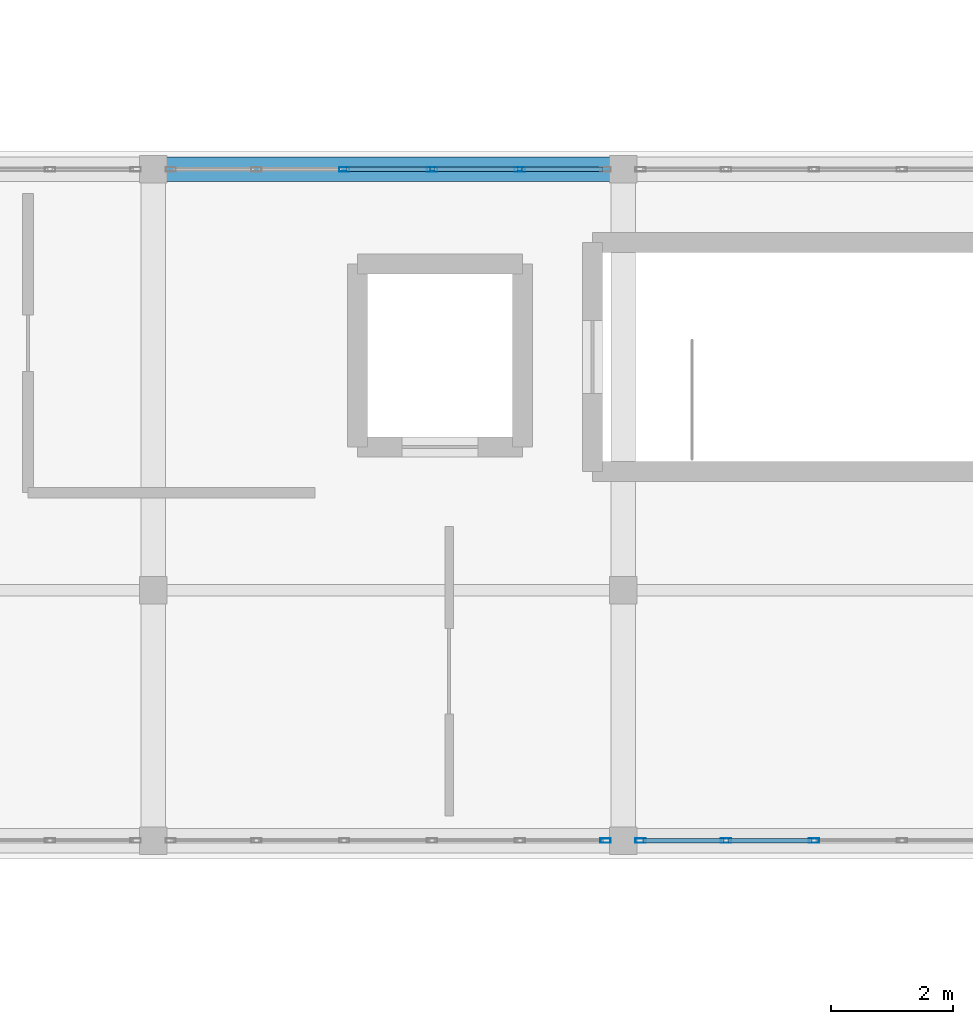
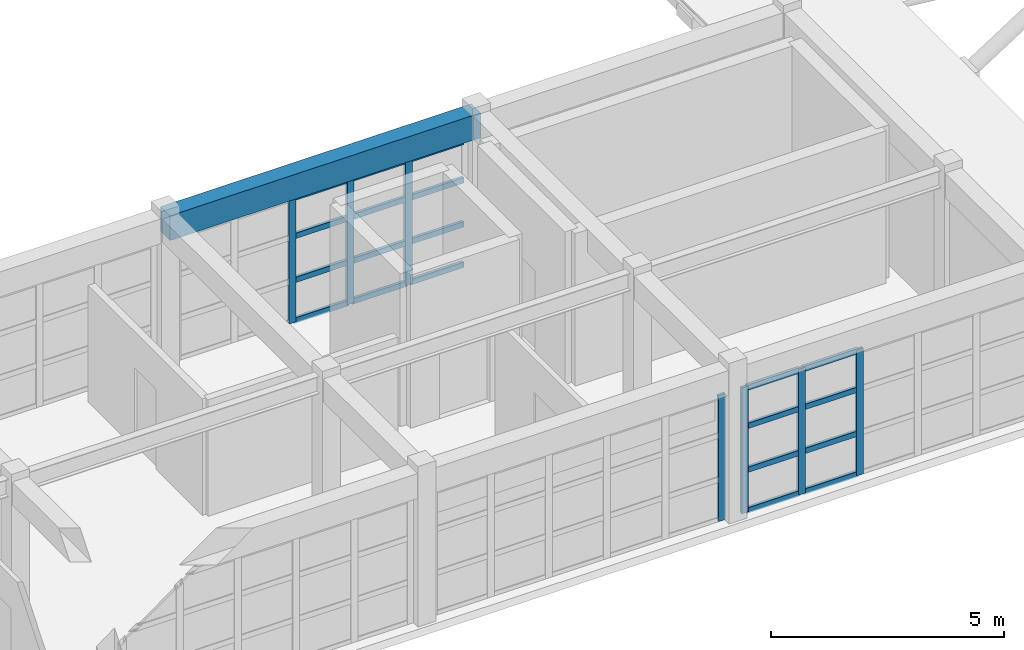
# One storey, part 15 of 52: 27 members, 1 beam, 3 elements without a shape of their own.
"""IFC4 building model written with IfcOpenShell, lengths in metres."""

from ifc_helpers import new_model, si_unit, direction, frame, origin, origin_2d, place, context, subcontext, project, spatial, rectangle, hollow_rectangle, extrude, material, layer, layer_set, material_profile, profile_set, type_object, element, aggregate, save


model = new_model("IFC4")

# Units and contexts
model_context = context("Model", 3, precision=1e-05, world=origin(), true_north=direction((0.0, 1.0)))
body_context = subcontext(model_context, "Body", "Model", "MODEL_VIEW")
ifc_project = project(units=[si_unit("LENGTHUNIT", "METRE"), si_unit("AREAUNIT", "SQUARE_METRE"), si_unit("VOLUMEUNIT", "CUBIC_METRE"), si_unit("PLANEANGLEUNIT", "RADIAN"), si_unit("MASSUNIT", "GRAM", prefix="KILO")], contexts=[model_context])

# Site, building, storey
site_placement = place(None, origin())
site = spatial("IfcSite", under=ifc_project, at=site_placement, CompositionType="ELEMENT")
building_placement = place(site_placement, origin())
building = spatial("IfcBuilding", under=site, at=building_placement, Name="Candilejo Ridge Gondola Terminal", CompositionType="ELEMENT")
storey_placement = place(building_placement, frame((0.0, 0.0, 18.60009765625)))
storey = spatial("IfcBuildingStorey", under=building, at=storey_placement, Name="L04", CompositionType="ELEMENT", Elevation=18.60009765625)

# Curtain wall, members
ifc_material_1 = material(Name="Anodised aluminium AA 6063-T6", Category="aluminium")
ifc_layer = layer(ifc_material_1, 0.169921875)
ifc_layer_set = layer_set([ifc_layer], Name="ARC-CW-GALLERY-3200-720X329")
curtain_wall_type = type_object("IfcCurtainWallType", Name="ARC-CW-GALLERY-3200-720X329", PredefinedType="NOTDEFINED", material=ifc_layer_set)
curtain_wall_1_placement = place(storey_placement, origin())
curtain_wall_1 = element("IfcCurtainWall", 1, at=curtain_wall_1_placement, inside=storey, type_object=curtain_wall_type, Name="Curtain wall V3 L04-106", PredefinedType="NOTDEFINED")
ifc_material_2 = material(Name="Anodised aluminium AA 6063-T6", Category="aluminium")
ifc_material_profile_1 = material_profile(ifc_material_2, hollow_rectangle(XDim=0.074951171875, YDim=0.169921875, WallThickness=0.00390625, at=origin_2d()))
ifc_profile_set_1 = profile_set([ifc_material_profile_1], Name="Anodised aluminium AA 6063-T6")
member_type_1 = type_object("IfcMemberType", Name="ARC-CW-MULLION", PredefinedType="MULLION", material=ifc_profile_set_1)
member_1_placement = place(storey_placement, frame((120.679931640625, 36.699951171875, 0.0), z_axis=(0.0, 0.0, 1.0), x_axis=(0.0, 1.0, 0.0)))
member_1 = element("IfcMember", 2, at=member_1_placement, type_object=member_type_1, Name="CW-72X32 mullion 3", PredefinedType="MULLION", context=body_context, shape_type="SweptSolid", body=[
    extrude(hollow_rectangle(XDim=0.074951171875, YDim=0.169921875, WallThickness=0.00390625, at=origin_2d()), origin(), (0.0, 0.0, 1.0), 3.289794921875),
])
member_2_placement = place(storey_placement, frame((122.1201171875, 36.699951171875, 0.0), z_axis=(0.0, 0.0, 1.0), x_axis=(0.0, 1.0, 0.0)))
member_2 = element("IfcMember", 3, at=member_2_placement, type_object=member_type_1, Name="CW-72X32 mullion 4", PredefinedType="MULLION", context=body_context, shape_type="SweptSolid", body=[
    extrude(hollow_rectangle(XDim=0.074951171875, YDim=0.169921875, WallThickness=0.00390625, at=origin_2d()), origin(), (0.0, 0.0, 1.0), 3.289794921875),
])
member_3_placement = place(storey_placement, frame((123.56005859375, 36.699951171875, 0.0), z_axis=(0.0, 0.0, 1.0), x_axis=(0.0, 1.0, 0.0)))
member_3 = element("IfcMember", 4, at=member_3_placement, type_object=member_type_1, Name="CW-72X32 mullion 5", PredefinedType="MULLION", context=body_context, shape_type="SweptSolid", body=[
    extrude(hollow_rectangle(XDim=0.074951171875, YDim=0.169921875, WallThickness=0.00390625, at=origin_2d()), origin(), (0.0, 0.0, 1.0), 3.289794921875),
])

# Curtain wall, member
curtain_wall_2_placement = place(storey_placement, origin())
curtain_wall_2 = element("IfcCurtainWall", 5, at=curtain_wall_2_placement, inside=storey, type_object=curtain_wall_type, Name="Curtain wall V3 L04-107", PredefinedType="NOTDEFINED")
member_4_placement = place(storey_placement, frame((124.96240234375, 25.699951171875, 0.0), z_axis=(0.0, 0.0, 1.0), x_axis=(0.0, 1.0, 0.0)))
member_4 = element("IfcMember", 6, at=member_4_placement, type_object=member_type_1, Name="CW-72X32 mullion 6", PredefinedType="MULLION", context=body_context, shape_type="SweptSolid", body=[
    extrude(hollow_rectangle(XDim=0.074951171875, YDim=0.169921875, WallThickness=0.00390625, at=origin_2d()), origin(), (0.0, 0.0, 1.0), 3.289794921875),
])
aggregate(curtain_wall_2, [member_4])

# Curtain wall, members
curtain_wall_3_placement = place(storey_placement, origin())
curtain_wall_3 = element("IfcCurtainWall", 7, at=curtain_wall_3_placement, inside=storey, type_object=curtain_wall_type, Name="Curtain wall V3 L04-109", PredefinedType="NOTDEFINED")
member_5_placement = place(storey_placement, frame((125.53759765625, 25.699951171875, 0.0), z_axis=(0.0, 0.0, 1.0), x_axis=(0.0, 1.0, 0.0)))
member_5 = element("IfcMember", 8, at=member_5_placement, type_object=member_type_1, Name="CW-72X32 mullion 1", PredefinedType="MULLION", context=body_context, shape_type="SweptSolid", body=[
    extrude(hollow_rectangle(XDim=0.074951171875, YDim=0.169921875, WallThickness=0.00390625, at=origin_2d()), origin(), (0.0, 0.0, 1.0), 3.289794921875),
])
member_6_placement = place(storey_placement, frame((126.93994140625, 25.699951171875, 0.0), z_axis=(0.0, 0.0, 1.0), x_axis=(0.0, 1.0, 0.0)))
member_6 = element("IfcMember", 9, at=member_6_placement, type_object=member_type_1, Name="CW-72X32 mullion 2", PredefinedType="MULLION", context=body_context, shape_type="SweptSolid", body=[
    extrude(hollow_rectangle(XDim=0.074951171875, YDim=0.169921875, WallThickness=0.00390625, at=origin_2d()), origin(), (0.0, 0.0, 1.0), 3.289794921875),
])
member_7_placement = place(storey_placement, frame((128.3798828125, 25.699951171875, 0.0), z_axis=(0.0, 0.0, 1.0), x_axis=(0.0, 1.0, 0.0)))
member_7 = element("IfcMember", 10, at=member_7_placement, type_object=member_type_1, Name="CW-72X32 mullion 3", PredefinedType="MULLION", context=body_context, shape_type="SweptSolid", body=[
    extrude(hollow_rectangle(XDim=0.074951171875, YDim=0.169921875, WallThickness=0.00390625, at=origin_2d()), origin(), (0.0, 0.0, 1.0), 3.289794921875),
])

# Member
ifc_material_3 = material(Name="Anodised aluminium AA 6063-T6", Category="aluminium")
ifc_material_profile_2 = material_profile(ifc_material_3, hollow_rectangle(XDim=0.074951171875, YDim=0.139892578125, WallThickness=0.00390625, at=origin_2d()))
ifc_profile_set_2 = profile_set([ifc_material_profile_2], Name="Anodised aluminium AA 6063-T6")
member_type_2 = type_object("IfcMemberType", Name="ARC-CW-TRANSOM", PredefinedType="USERDEFINED", material=ifc_profile_set_2)
member_8_placement = place(storey_placement, frame((120.717529296875, 36.699951171875, 0.037353515625), z_axis=(1.0, 0.0, 0.0), x_axis=(0.0, 1.0, 0.0)))
member_8 = element("IfcMember", 11, at=member_8_placement, type_object=member_type_2, Name="CW-72X32 transom 3.1", ObjectType="TRANSOM", PredefinedType="USERDEFINED", context=body_context, shape_type="SweptSolid", body=[
    extrude(hollow_rectangle(XDim=0.074951171875, YDim=0.139892578125, WallThickness=0.00390625, at=origin_2d()), origin(), (0.0, 0.0, 1.0), 1.364990234375),
])

member_9_placement = place(storey_placement, frame((120.717529296875, 36.699951171875, 1.099853515625), z_axis=(1.0, 0.0, 0.0), x_axis=(0.0, 1.0, 0.0)))
member_9 = element("IfcMember", 12, at=member_9_placement, type_object=member_type_2, Name="CW-72X32 transom 3.2", ObjectType="TRANSOM", PredefinedType="USERDEFINED", context=body_context, shape_type="SweptSolid", body=[
    extrude(hollow_rectangle(XDim=0.074951171875, YDim=0.139892578125, WallThickness=0.00390625, at=origin_2d()), origin(), (0.0, 0.0, 1.0), 1.364990234375),
])

member_10_placement = place(storey_placement, frame((120.717529296875, 36.699951171875, 2.25), z_axis=(1.0, 0.0, 0.0), x_axis=(0.0, 1.0, 0.0)))
member_10 = element("IfcMember", 13, at=member_10_placement, type_object=member_type_2, Name="CW-72X32 transom 3.3", ObjectType="TRANSOM", PredefinedType="USERDEFINED", context=body_context, shape_type="SweptSolid", body=[
    extrude(hollow_rectangle(XDim=0.074951171875, YDim=0.139892578125, WallThickness=0.00390625, at=origin_2d()), origin(), (0.0, 0.0, 1.0), 1.364990234375),
])

member_11_placement = place(storey_placement, frame((120.717529296875, 36.699951171875, 3.25244140625), z_axis=(1.0, 0.0, 0.0), x_axis=(0.0, 1.0, 0.0)))
member_11 = element("IfcMember", 14, at=member_11_placement, type_object=member_type_2, Name="CW-72X32 transom 3.4", ObjectType="TRANSOM", PredefinedType="USERDEFINED", context=body_context, shape_type="SweptSolid", body=[
    extrude(hollow_rectangle(XDim=0.074951171875, YDim=0.139892578125, WallThickness=0.00390625, at=origin_2d()), origin(), (0.0, 0.0, 1.0), 1.364990234375),
])

member_12_placement = place(storey_placement, frame((122.157470703125, 36.699951171875, 0.037353515625), z_axis=(1.0, 0.0, 0.0), x_axis=(0.0, 1.0, 0.0)))
member_12 = element("IfcMember", 15, at=member_12_placement, type_object=member_type_2, Name="CW-72X32 transom 4.1", ObjectType="TRANSOM", PredefinedType="USERDEFINED", context=body_context, shape_type="SweptSolid", body=[
    extrude(hollow_rectangle(XDim=0.074951171875, YDim=0.139892578125, WallThickness=0.00390625, at=origin_2d()), origin(), (0.0, 0.0, 1.0), 1.364990234375),
])

member_13_placement = place(storey_placement, frame((122.157470703125, 36.699951171875, 1.099853515625), z_axis=(1.0, 0.0, 0.0), x_axis=(0.0, 1.0, 0.0)))
member_13 = element("IfcMember", 16, at=member_13_placement, type_object=member_type_2, Name="CW-72X32 transom 4.2", ObjectType="TRANSOM", PredefinedType="USERDEFINED", context=body_context, shape_type="SweptSolid", body=[
    extrude(hollow_rectangle(XDim=0.074951171875, YDim=0.139892578125, WallThickness=0.00390625, at=origin_2d()), origin(), (0.0, 0.0, 1.0), 1.364990234375),
])

member_14_placement = place(storey_placement, frame((122.157470703125, 36.699951171875, 2.25), z_axis=(1.0, 0.0, 0.0), x_axis=(0.0, 1.0, 0.0)))
member_14 = element("IfcMember", 17, at=member_14_placement, type_object=member_type_2, Name="CW-72X32 transom 4.3", ObjectType="TRANSOM", PredefinedType="USERDEFINED", context=body_context, shape_type="SweptSolid", body=[
    extrude(hollow_rectangle(XDim=0.074951171875, YDim=0.139892578125, WallThickness=0.00390625, at=origin_2d()), origin(), (0.0, 0.0, 1.0), 1.364990234375),
])

member_15_placement = place(storey_placement, frame((122.157470703125, 36.699951171875, 3.25244140625), z_axis=(1.0, 0.0, 0.0), x_axis=(0.0, 1.0, 0.0)))
member_15 = element("IfcMember", 18, at=member_15_placement, type_object=member_type_2, Name="CW-72X32 transom 4.4", ObjectType="TRANSOM", PredefinedType="USERDEFINED", context=body_context, shape_type="SweptSolid", body=[
    extrude(hollow_rectangle(XDim=0.074951171875, YDim=0.139892578125, WallThickness=0.00390625, at=origin_2d()), origin(), (0.0, 0.0, 1.0), 1.364990234375),
])

member_16_placement = place(storey_placement, frame((123.597412109375, 36.699951171875, 0.037353515625), z_axis=(1.0, 0.0, 0.0), x_axis=(0.0, 1.0, 0.0)))
member_16 = element("IfcMember", 19, at=member_16_placement, type_object=member_type_2, Name="CW-72X32 transom 5.1", ObjectType="TRANSOM", PredefinedType="USERDEFINED", context=body_context, shape_type="SweptSolid", body=[
    extrude(hollow_rectangle(XDim=0.074951171875, YDim=0.139892578125, WallThickness=0.00390625, at=origin_2d()), origin(), (0.0, 0.0, 1.0), 1.32763671875),
])

member_17_placement = place(storey_placement, frame((123.597412109375, 36.699951171875, 1.099853515625), z_axis=(1.0, 0.0, 0.0), x_axis=(0.0, 1.0, 0.0)))
member_17 = element("IfcMember", 20, at=member_17_placement, type_object=member_type_2, Name="CW-72X32 transom 5.2", ObjectType="TRANSOM", PredefinedType="USERDEFINED", context=body_context, shape_type="SweptSolid", body=[
    extrude(hollow_rectangle(XDim=0.074951171875, YDim=0.139892578125, WallThickness=0.00390625, at=origin_2d()), origin(), (0.0, 0.0, 1.0), 1.32763671875),
])

member_18_placement = place(storey_placement, frame((123.597412109375, 36.699951171875, 2.25), z_axis=(1.0, 0.0, 0.0), x_axis=(0.0, 1.0, 0.0)))
member_18 = element("IfcMember", 21, at=member_18_placement, type_object=member_type_2, Name="CW-72X32 transom 5.3", ObjectType="TRANSOM", PredefinedType="USERDEFINED", context=body_context, shape_type="SweptSolid", body=[
    extrude(hollow_rectangle(XDim=0.074951171875, YDim=0.139892578125, WallThickness=0.00390625, at=origin_2d()), origin(), (0.0, 0.0, 1.0), 1.32763671875),
])

member_19_placement = place(storey_placement, frame((123.597412109375, 36.699951171875, 3.25244140625), z_axis=(1.0, 0.0, 0.0), x_axis=(0.0, 1.0, 0.0)))
member_19 = element("IfcMember", 22, at=member_19_placement, type_object=member_type_2, Name="CW-72X32 transom 5.4", ObjectType="TRANSOM", PredefinedType="USERDEFINED", context=body_context, shape_type="SweptSolid", body=[
    extrude(hollow_rectangle(XDim=0.074951171875, YDim=0.139892578125, WallThickness=0.00390625, at=origin_2d()), origin(), (0.0, 0.0, 1.0), 1.32763671875),
])

aggregate(curtain_wall_1, [member_1, member_2, member_3, member_8, member_9, member_10, member_11, member_12, member_13, member_14, member_15, member_16, member_17, member_18, member_19])

member_20_placement = place(storey_placement, frame((125.574951171875, 25.699951171875, 0.037353515625), z_axis=(1.0, 0.0, 0.0), x_axis=(0.0, 1.0, 0.0)))
member_20 = element("IfcMember", 23, at=member_20_placement, type_object=member_type_2, Name="CW-72X32 transom 1.1", ObjectType="TRANSOM", PredefinedType="USERDEFINED", context=body_context, shape_type="SweptSolid", body=[
    extrude(hollow_rectangle(XDim=0.074951171875, YDim=0.139892578125, WallThickness=0.00390625, at=origin_2d()), origin(), (0.0, 0.0, 1.0), 1.32763671875),
])

member_21_placement = place(storey_placement, frame((125.574951171875, 25.699951171875, 1.099853515625), z_axis=(1.0, 0.0, 0.0), x_axis=(0.0, 1.0, 0.0)))
member_21 = element("IfcMember", 24, at=member_21_placement, type_object=member_type_2, Name="CW-72X32 transom 1.2", ObjectType="TRANSOM", PredefinedType="USERDEFINED", context=body_context, shape_type="SweptSolid", body=[
    extrude(hollow_rectangle(XDim=0.074951171875, YDim=0.139892578125, WallThickness=0.00390625, at=origin_2d()), origin(), (0.0, 0.0, 1.0), 1.32763671875),
])

member_22_placement = place(storey_placement, frame((125.574951171875, 25.699951171875, 2.25), z_axis=(1.0, 0.0, 0.0), x_axis=(0.0, 1.0, 0.0)))
member_22 = element("IfcMember", 25, at=member_22_placement, type_object=member_type_2, Name="CW-72X32 transom 1.3", ObjectType="TRANSOM", PredefinedType="USERDEFINED", context=body_context, shape_type="SweptSolid", body=[
    extrude(hollow_rectangle(XDim=0.074951171875, YDim=0.139892578125, WallThickness=0.00390625, at=origin_2d()), origin(), (0.0, 0.0, 1.0), 1.32763671875),
])

member_23_placement = place(storey_placement, frame((125.574951171875, 25.699951171875, 3.25244140625), z_axis=(1.0, 0.0, 0.0), x_axis=(0.0, 1.0, 0.0)))
member_23 = element("IfcMember", 26, at=member_23_placement, type_object=member_type_2, Name="CW-72X32 transom 1.4", ObjectType="TRANSOM", PredefinedType="USERDEFINED", context=body_context, shape_type="SweptSolid", body=[
    extrude(hollow_rectangle(XDim=0.074951171875, YDim=0.139892578125, WallThickness=0.00390625, at=origin_2d()), origin(), (0.0, 0.0, 1.0), 1.32763671875),
])

member_24_placement = place(storey_placement, frame((126.9775390625, 25.699951171875, 0.037353515625), z_axis=(1.0, 0.0, 0.0), x_axis=(0.0, 1.0, 0.0)))
member_24 = element("IfcMember", 27, at=member_24_placement, type_object=member_type_2, Name="CW-72X32 transom 2.1", ObjectType="TRANSOM", PredefinedType="USERDEFINED", context=body_context, shape_type="SweptSolid", body=[
    extrude(hollow_rectangle(XDim=0.074951171875, YDim=0.139892578125, WallThickness=0.00390625, at=origin_2d()), origin(), (0.0, 0.0, 1.0), 1.364990234375),
])

member_25_placement = place(storey_placement, frame((126.9775390625, 25.699951171875, 1.099853515625), z_axis=(1.0, 0.0, 0.0), x_axis=(0.0, 1.0, 0.0)))
member_25 = element("IfcMember", 28, at=member_25_placement, type_object=member_type_2, Name="CW-72X32 transom 2.2", ObjectType="TRANSOM", PredefinedType="USERDEFINED", context=body_context, shape_type="SweptSolid", body=[
    extrude(hollow_rectangle(XDim=0.074951171875, YDim=0.139892578125, WallThickness=0.00390625, at=origin_2d()), origin(), (0.0, 0.0, 1.0), 1.364990234375),
])

member_26_placement = place(storey_placement, frame((126.9775390625, 25.699951171875, 2.25), z_axis=(1.0, 0.0, 0.0), x_axis=(0.0, 1.0, 0.0)))
member_26 = element("IfcMember", 29, at=member_26_placement, type_object=member_type_2, Name="CW-72X32 transom 2.3", ObjectType="TRANSOM", PredefinedType="USERDEFINED", context=body_context, shape_type="SweptSolid", body=[
    extrude(hollow_rectangle(XDim=0.074951171875, YDim=0.139892578125, WallThickness=0.00390625, at=origin_2d()), origin(), (0.0, 0.0, 1.0), 1.364990234375),
])

member_27_placement = place(storey_placement, frame((126.9775390625, 25.699951171875, 3.25244140625), z_axis=(1.0, 0.0, 0.0), x_axis=(0.0, 1.0, 0.0)))
member_27 = element("IfcMember", 30, at=member_27_placement, type_object=member_type_2, Name="CW-72X32 transom 2.4", ObjectType="TRANSOM", PredefinedType="USERDEFINED", context=body_context, shape_type="SweptSolid", body=[
    extrude(hollow_rectangle(XDim=0.074951171875, YDim=0.139892578125, WallThickness=0.00390625, at=origin_2d()), origin(), (0.0, 0.0, 1.0), 1.364990234375),
])

aggregate(curtain_wall_3, [member_5, member_6, member_7, member_20, member_21, member_22, member_23, member_24, member_25, member_26, member_27])

# Beam
ifc_material_4 = material(Name="Concrete f'c 35 MPa (C35/45)", Category="concrete")
ifc_material_profile_3 = material_profile(ifc_material_4, rectangle(XDim=0.39990234375, YDim=0.64990234375, at=origin_2d()))
ifc_profile_set_3 = profile_set([ifc_material_profile_3], Name="Concrete f'c 35 MPa (C35/45)")
beam_type = type_object("IfcBeamType", Name="STR-SPN-RC400X650", PredefinedType="SPANDREL", material=ifc_profile_set_3)
beam_placement = place(storey_placement, frame((117.550048828125, 36.699951171875, 3.6748046875), z_axis=(1.0, 0.0, 0.0), x_axis=(0.0, 1.0, 0.0)))
element("IfcBeam", 31, at=beam_placement, inside=storey, type_object=beam_type, Name="Beam X V3 L04 X18-X19@Y07", PredefinedType="SPANDREL", context=body_context, shape_type="SweptSolid", body=[
    extrude(rectangle(XDim=0.39990234375, YDim=0.64990234375, at=origin_2d()), origin(), (0.0, 0.0, 1.0), 7.699951171875),
])

save(model, "model.ifc")
